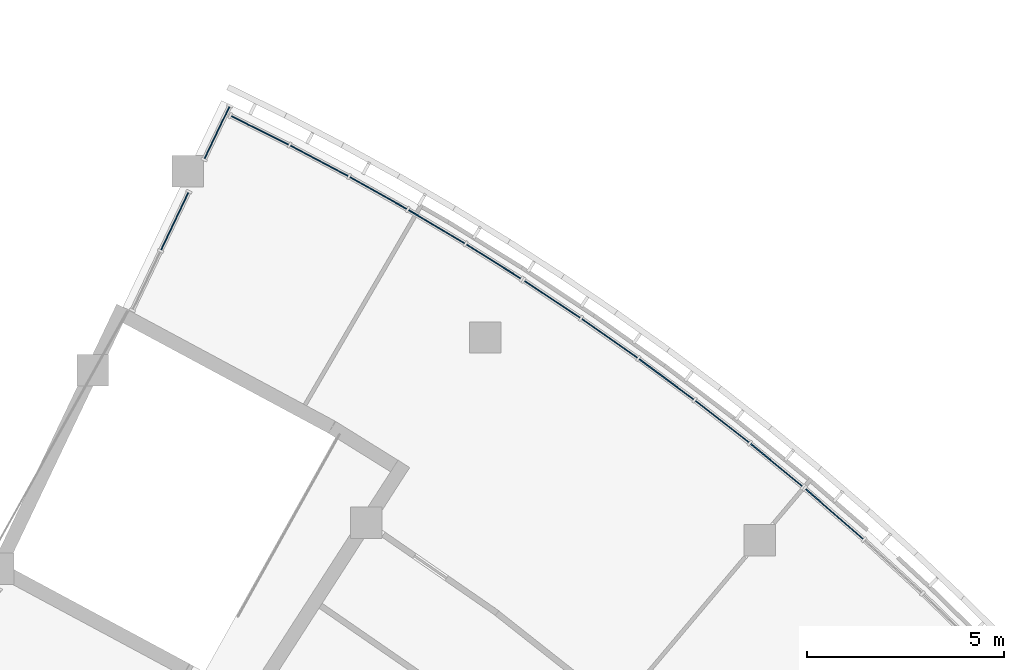
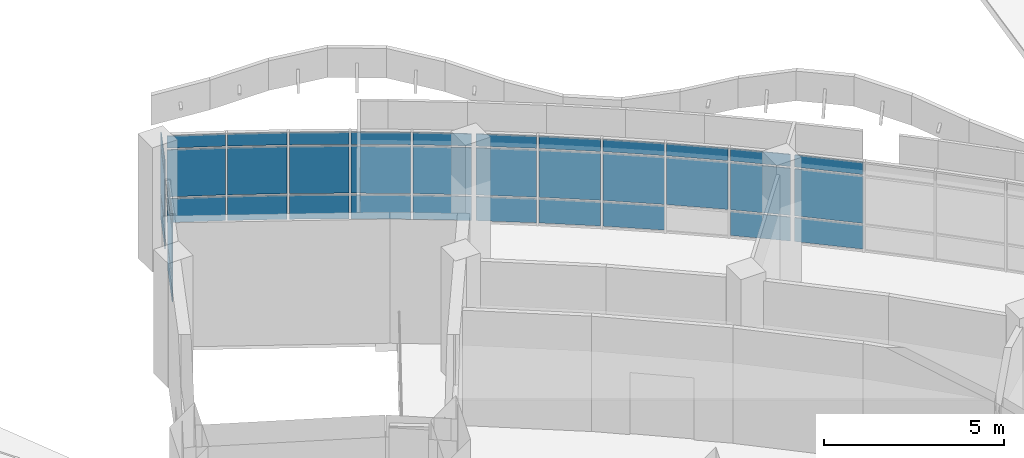
# One storey, part 52 of 137: 38 plates, 5 elements without a shape of their own.
"""IFC4 building model written with IfcOpenShell, lengths in metres."""

from ifc_helpers import new_model, si_unit, direction, frame, origin, origin_2d, place, context, subcontext, project, spatial, rectangle, extrude, material, layer, layer_set, type_object, element, aggregate, save


model = new_model("IFC4")

# Units and contexts
model_context = context("Model", 3, precision=1e-05, world=origin(), true_north=direction((0.0, 1.0)))
body_context = subcontext(model_context, "Body", "Model", "MODEL_VIEW")
ifc_project = project(units=[si_unit("LENGTHUNIT", "METRE"), si_unit("AREAUNIT", "SQUARE_METRE"), si_unit("VOLUMEUNIT", "CUBIC_METRE"), si_unit("PLANEANGLEUNIT", "RADIAN"), si_unit("MASSUNIT", "GRAM", prefix="KILO")], contexts=[model_context])

# Site, building, storey
site_placement = place(None, origin())
site = spatial("IfcSite", under=ifc_project, at=site_placement, CompositionType="ELEMENT")
building_placement = place(site_placement, origin())
building = spatial("IfcBuilding", under=site, at=building_placement, Name="Bougainvillea Quay General Hospital", CompositionType="ELEMENT")
storey_placement = place(building_placement, frame((0.0, 0.0, 16.800048828125)))
storey = spatial("IfcBuildingStorey", under=building, at=storey_placement, Name="L03", CompositionType="ELEMENT", Elevation=16.800048828125)

# Curtain wall, plates
ifc_material_1 = material(Name="Aluminium curtain wall system, powder-coated glazed", Category="aluminium")
curtain_wall_type_1 = type_object("IfcCurtainWallType", Name="Unitised curtain wall CW-2100", PredefinedType="NOTDEFINED", material=ifc_material_1)
curtain_wall_1_placement = place(storey_placement, origin())
curtain_wall_1 = element("IfcCurtainWall", 1, at=curtain_wall_1_placement, inside=storey, type_object=curtain_wall_type_1, Name="CW-E01 a10b0", PredefinedType="NOTDEFINED")
ifc_material_2 = material(Name="Insulated aluminium spandrel panel, white", Category="aluminium")
ifc_layer_1 = layer(ifc_material_2, 0.028076171875)
ifc_layer_set_1 = layer_set([ifc_layer_1], Name="Insulated aluminium spandrel panel, white")
plate_type_1 = type_object("IfcPlateType", Name="Insulated spandrel panel white 28", PredefinedType="CURTAIN_PANEL", material=ifc_layer_set_1)
plate_1_placement = place(storey_placement, frame((140.313720703125, 84.42041015625, 0.059814453125), z_axis=(0.0, 0.0, 1.0), x_axis=(0.895076033803, -0.445913549593, 0.0)))
plate_1 = element("IfcPlate", 2, at=plate_1_placement, type_object=plate_type_1, Name="CW-E01 spandrel panel 1.1", PredefinedType="CURTAIN_PANEL", context=body_context, shape_type="SweptSolid", body=[
    extrude(rectangle(XDim=1.62255859375, YDim=0.028076171875, at=origin_2d()), origin(), (0.0, 0.0, 1.0), 0.81005859375),
])
plate_2_placement = place(storey_placement, frame((140.313720703125, 84.42041015625, 2.580078125), z_axis=(0.0, 0.0, 1.0), x_axis=(0.895076033803, -0.445913549593, 0.0)))
plate_2 = element("IfcPlate", 3, at=plate_2_placement, type_object=plate_type_1, Name="CW-E01 spandrel panel 1.3", PredefinedType="CURTAIN_PANEL", context=body_context, shape_type="SweptSolid", body=[
    extrude(rectangle(XDim=1.62255859375, YDim=0.028076171875, at=origin_2d()), origin(), (0.0, 0.0, 1.0), 0.409912109375),
])
plate_3_placement = place(storey_placement, frame((141.823486328125, 83.644775390625, 0.059814453125), z_axis=(0.0, 0.0, 1.0), x_axis=(0.883859426955, -0.467752619856, 0.0)))
plate_3 = element("IfcPlate", 4, at=plate_3_placement, type_object=plate_type_1, Name="CW-E01 spandrel panel 2.1", PredefinedType="CURTAIN_PANEL", context=body_context, shape_type="SweptSolid", body=[
    extrude(rectangle(XDim=1.65234375, YDim=0.028076171875, at=origin_2d()), origin(), (0.0, 0.0, 1.0), 0.81005859375),
])
plate_4_placement = place(storey_placement, frame((141.823486328125, 83.644775390625, 2.580078125), z_axis=(0.0, 0.0, 1.0), x_axis=(0.883859426955, -0.467752619856, 0.0)))
plate_4 = element("IfcPlate", 5, at=plate_4_placement, type_object=plate_type_1, Name="CW-E01 spandrel panel 2.3", PredefinedType="CURTAIN_PANEL", context=body_context, shape_type="SweptSolid", body=[
    extrude(rectangle(XDim=1.65234375, YDim=0.028076171875, at=origin_2d()), origin(), (0.0, 0.0, 1.0), 0.409912109375),
])
plate_5_placement = place(storey_placement, frame((143.326904296875, 82.825439453125, 0.059814453125), z_axis=(0.0, 0.0, 1.0), x_axis=(0.87211006743, -0.489309748816, 0.0)))
plate_5 = element("IfcPlate", 6, at=plate_5_placement, type_object=plate_type_1, Name="CW-E01 spandrel panel 3.1", PredefinedType="CURTAIN_PANEL", context=body_context, shape_type="SweptSolid", body=[
    extrude(rectangle(XDim=1.65234375, YDim=0.028076171875, at=origin_2d()), origin(), (0.0, 0.0, 1.0), 0.81005859375),
])
plate_6_placement = place(storey_placement, frame((143.326904296875, 82.825439453125, 2.580078125), z_axis=(0.0, 0.0, 1.0), x_axis=(0.87211006743, -0.489309748816, 0.0)))
plate_6 = element("IfcPlate", 7, at=plate_6_placement, type_object=plate_type_1, Name="CW-E01 spandrel panel 3.3", PredefinedType="CURTAIN_PANEL", context=body_context, shape_type="SweptSolid", body=[
    extrude(rectangle(XDim=1.65234375, YDim=0.028076171875, at=origin_2d()), origin(), (0.0, 0.0, 1.0), 0.409912109375),
])
plate_7_placement = place(storey_placement, frame((144.809814453125, 81.96923828125, 0.059814453125), z_axis=(0.0, 0.0, 1.0), x_axis=(0.859835037223, -0.510571942789, 0.0)))
plate_7 = element("IfcPlate", 8, at=plate_7_placement, type_object=plate_type_1, Name="CW-E01 spandrel panel 4.1", PredefinedType="CURTAIN_PANEL", context=body_context, shape_type="SweptSolid", body=[
    extrude(rectangle(XDim=1.65234375, YDim=0.028076171875, at=origin_2d()), origin(), (0.0, 0.0, 1.0), 0.81005859375),
])
plate_8_placement = place(storey_placement, frame((144.809814453125, 81.96923828125, 2.580078125), z_axis=(0.0, 0.0, 1.0), x_axis=(0.859835037223, -0.510571942789, 0.0)))
plate_8 = element("IfcPlate", 9, at=plate_8_placement, type_object=plate_type_1, Name="CW-E01 spandrel panel 4.3", PredefinedType="CURTAIN_PANEL", context=body_context, shape_type="SweptSolid", body=[
    extrude(rectangle(XDim=1.65234375, YDim=0.028076171875, at=origin_2d()), origin(), (0.0, 0.0, 1.0), 0.409912109375),
])
plate_9_placement = place(storey_placement, frame((146.258544921875, 81.0849609375, 0.059814453125), z_axis=(0.0, 0.0, 1.0), x_axis=(0.847041735206, -0.531526385817, 0.0)))
plate_9 = element("IfcPlate", 10, at=plate_9_placement, type_object=plate_type_1, Name="CW-E01 spandrel panel 5.1", PredefinedType="CURTAIN_PANEL", context=body_context, shape_type="SweptSolid", body=[
    extrude(rectangle(XDim=1.62255859375, YDim=0.028076171875, at=origin_2d()), origin(), (0.0, 0.0, 1.0), 0.81005859375),
])
plate_10_placement = place(storey_placement, frame((146.258544921875, 81.0849609375, 2.580078125), z_axis=(0.0, 0.0, 1.0), x_axis=(0.847041735206, -0.531526385817, 0.0)))
plate_10 = element("IfcPlate", 11, at=plate_10_placement, type_object=plate_type_1, Name="CW-E01 spandrel panel 5.3", PredefinedType="CURTAIN_PANEL", context=body_context, shape_type="SweptSolid", body=[
    extrude(rectangle(XDim=1.62255859375, YDim=0.028076171875, at=origin_2d()), origin(), (0.0, 0.0, 1.0), 0.409912109375),
])

curtain_wall_2_placement = place(storey_placement, origin())
curtain_wall_2 = element("IfcCurtainWall", 12, at=curtain_wall_2_placement, inside=storey, type_object=curtain_wall_type_1, Name="CW-E02 a10b1", PredefinedType="NOTDEFINED")
plate_11_placement = place(storey_placement, frame((147.7509765625, 80.121826171875, 0.059814453125), z_axis=(0.0, 0.0, 1.0), x_axis=(0.833469434396, -0.552565563465, 0.0)))
plate_11 = element("IfcPlate", 13, at=plate_11_placement, type_object=plate_type_1, Name="CW-E02 spandrel panel 1.1", PredefinedType="CURTAIN_PANEL", context=body_context, shape_type="SweptSolid", body=[
    extrude(rectangle(XDim=1.690185546875, YDim=0.028076171875, at=origin_2d()), origin(), (0.0, 0.0, 1.0), 0.81005859375),
])
plate_12_placement = place(storey_placement, frame((147.7509765625, 80.121826171875, 2.580078125), z_axis=(0.0, 0.0, 1.0), x_axis=(0.833469434396, -0.552565563465, 0.0)))
plate_12 = element("IfcPlate", 14, at=plate_12_placement, type_object=plate_type_1, Name="CW-E02 spandrel panel 1.3", PredefinedType="CURTAIN_PANEL", context=body_context, shape_type="SweptSolid", body=[
    extrude(rectangle(XDim=1.690185546875, YDim=0.028076171875, at=origin_2d()), origin(), (0.0, 0.0, 1.0), 0.409912109375),
])
plate_13_placement = place(storey_placement, frame((149.20947265625, 79.12744140625, 0.059814453125), z_axis=(0.0, 0.0, 1.0), x_axis=(0.819095979911, -0.573656496253, 0.0)))
plate_13 = element("IfcPlate", 15, at=plate_13_placement, type_object=plate_type_1, Name="CW-E02 spandrel panel 2.1", PredefinedType="CURTAIN_PANEL", context=body_context, shape_type="SweptSolid", body=[
    extrude(rectangle(XDim=1.72021484375, YDim=0.028076171875, at=origin_2d()), origin(), (0.0, 0.0, 1.0), 0.81005859375),
])
plate_14_placement = place(storey_placement, frame((149.20947265625, 79.12744140625, 2.580078125), z_axis=(0.0, 0.0, 1.0), x_axis=(0.819095979911, -0.573656496253, 0.0)))
plate_14 = element("IfcPlate", 16, at=plate_14_placement, type_object=plate_type_1, Name="CW-E02 spandrel panel 2.3", PredefinedType="CURTAIN_PANEL", context=body_context, shape_type="SweptSolid", body=[
    extrude(rectangle(XDim=1.72021484375, YDim=0.028076171875, at=origin_2d()), origin(), (0.0, 0.0, 1.0), 0.409912109375),
])
plate_15_placement = place(storey_placement, frame((150.654296875, 78.087890625, 0.059814453125), z_axis=(0.0, 0.0, 1.0), x_axis=(0.804188946942, -0.594373735638, 0.0)))
plate_15 = element("IfcPlate", 17, at=plate_15_placement, type_object=plate_type_1, Name="CW-E02 spandrel panel 3.1", PredefinedType="CURTAIN_PANEL", context=body_context, shape_type="SweptSolid", body=[
    extrude(rectangle(XDim=1.72021484375, YDim=0.028076171875, at=origin_2d()), origin(), (0.0, 0.0, 1.0), 0.81005859375),
])
plate_16_placement = place(storey_placement, frame((150.654296875, 78.087890625, 2.580078125), z_axis=(0.0, 0.0, 1.0), x_axis=(0.804188946942, -0.594373735638, 0.0)))
plate_16 = element("IfcPlate", 18, at=plate_16_placement, type_object=plate_type_1, Name="CW-E02 spandrel panel 3.3", PredefinedType="CURTAIN_PANEL", context=body_context, shape_type="SweptSolid", body=[
    extrude(rectangle(XDim=1.72021484375, YDim=0.028076171875, at=origin_2d()), origin(), (0.0, 0.0, 1.0), 0.409912109375),
])
plate_17_placement = place(storey_placement, frame((152.072265625, 77.01171875, 2.580078125), z_axis=(0.0, 0.0, 1.0), x_axis=(0.788758046282, -0.614703785921, 0.0)))
plate_17 = element("IfcPlate", 19, at=plate_17_placement, type_object=plate_type_1, Name="CW-E02 spandrel panel 4.3", PredefinedType="CURTAIN_PANEL", context=body_context, shape_type="SweptSolid", body=[
    extrude(rectangle(XDim=1.72021484375, YDim=0.028076171875, at=origin_2d()), origin(), (0.0, 0.0, 1.0), 0.409912109375),
])
plate_18_placement = place(storey_placement, frame((153.45068359375, 75.9091796875, 0.059814453125), z_axis=(0.0, 0.0, 1.0), x_axis=(0.772813329985, -0.634633403626, 0.0)))
plate_18 = element("IfcPlate", 20, at=plate_18_placement, type_object=plate_type_1, Name="CW-E02 spandrel panel 5.1", PredefinedType="CURTAIN_PANEL", context=body_context, shape_type="SweptSolid", body=[
    extrude(rectangle(XDim=1.690185546875, YDim=0.028076171875, at=origin_2d()), origin(), (0.0, 0.0, 1.0), 0.81005859375),
])
plate_19_placement = place(storey_placement, frame((153.45068359375, 75.9091796875, 2.580078125), z_axis=(0.0, 0.0, 1.0), x_axis=(0.772813329985, -0.634633403626, 0.0)))
plate_19 = element("IfcPlate", 21, at=plate_19_placement, type_object=plate_type_1, Name="CW-E02 spandrel panel 5.3", PredefinedType="CURTAIN_PANEL", context=body_context, shape_type="SweptSolid", body=[
    extrude(rectangle(XDim=1.690185546875, YDim=0.028076171875, at=origin_2d()), origin(), (0.0, 0.0, 1.0), 0.409912109375),
])

curtain_wall_3_placement = place(storey_placement, origin())
curtain_wall_3 = element("IfcCurtainWall", 22, at=curtain_wall_3_placement, inside=storey, type_object=curtain_wall_type_1, Name="CW-E03 a10b2", PredefinedType="NOTDEFINED")
plate_20_placement = place(storey_placement, frame((154.925537109375, 74.66162109375, 0.059814453125), z_axis=(0.0, 0.0, 1.0), x_axis=(0.755223923404, -0.655466875989, 0.0)))
plate_20 = element("IfcPlate", 23, at=plate_20_placement, type_object=plate_type_1, Name="CW-E03 spandrel panel 1.1", PredefinedType="CURTAIN_PANEL", context=body_context, shape_type="SweptSolid", body=[
    extrude(rectangle(XDim=1.933349609375, YDim=0.028076171875, at=origin_2d()), origin(), (0.0, 0.0, 1.0), 0.81005859375),
])
plate_21_placement = place(storey_placement, frame((154.925537109375, 74.66162109375, 2.580078125), z_axis=(0.0, 0.0, 1.0), x_axis=(0.755223923404, -0.655466875989, 0.0)))
plate_21 = element("IfcPlate", 24, at=plate_21_placement, type_object=plate_type_1, Name="CW-E03 spandrel panel 1.3", PredefinedType="CURTAIN_PANEL", context=body_context, shape_type="SweptSolid", body=[
    extrude(rectangle(XDim=1.933349609375, YDim=0.028076171875, at=origin_2d()), origin(), (0.0, 0.0, 1.0), 0.409912109375),
])

curtain_wall_type_2 = type_object("IfcCurtainWallType", Name="Unitised curtain wall CW-1580", PredefinedType="NOTDEFINED", material=ifc_material_1)
curtain_wall_4_placement = place(storey_placement, origin())
curtain_wall_4 = element("IfcCurtainWall", 25, at=curtain_wall_4_placement, inside=storey, type_object=curtain_wall_type_2, Name="CW-AE 00", PredefinedType="NOTDEFINED")
plate_22_placement = place(storey_placement, frame((139.2216796875, 84.3603515625, 0.059814453125), z_axis=(0.0, 0.0, 1.0), x_axis=(-0.430525444112, -0.902578440897, 0.0)))
plate_22 = element("IfcPlate", 26, at=plate_22_placement, type_object=plate_type_1, Name="CW-AE spandrel panel 1.1", PredefinedType="CURTAIN_PANEL", context=body_context, shape_type="SweptSolid", body=[
    extrude(rectangle(XDim=1.459716796875, YDim=0.028076171875, at=origin_2d()), origin(), (0.0, 0.0, 1.0), 0.81005859375),
])
plate_23_placement = place(storey_placement, frame((139.2216796875, 84.3603515625, 2.580078125), z_axis=(0.0, 0.0, 1.0), x_axis=(-0.430525444112, -0.902578440897, 0.0)))
plate_23 = element("IfcPlate", 27, at=plate_23_placement, type_object=plate_type_1, Name="CW-AE spandrel panel 1.3", PredefinedType="CURTAIN_PANEL", context=body_context, shape_type="SweptSolid", body=[
    extrude(rectangle(XDim=1.459716796875, YDim=0.028076171875, at=origin_2d()), origin(), (0.0, 0.0, 1.0), 0.409912109375),
])

curtain_wall_type_3 = type_object("IfcCurtainWallType", Name="Unitised curtain wall CW-1703", PredefinedType="NOTDEFINED", material=ifc_material_1)
curtain_wall_5_placement = place(storey_placement, origin())
curtain_wall_5 = element("IfcCurtainWall", 28, at=curtain_wall_5_placement, inside=storey, type_object=curtain_wall_type_3, Name="CW-AE 01", PredefinedType="NOTDEFINED")
plate_24_placement = place(storey_placement, frame((138.146728515625, 82.107177734375, 0.059814453125), z_axis=(0.0, 0.0, 1.0), x_axis=(-0.430525444112, -0.902578440897, 0.0)))
plate_24 = element("IfcPlate", 29, at=plate_24_placement, type_object=plate_type_1, Name="CW-AE spandrel panel 1.1", PredefinedType="CURTAIN_PANEL", context=body_context, shape_type="SweptSolid", body=[
    extrude(rectangle(XDim=1.61279296875, YDim=0.028076171875, at=origin_2d()), origin(), (0.0, 0.0, 1.0), 0.81005859375),
])
plate_25_placement = place(storey_placement, frame((138.146728515625, 82.107177734375, 2.580078125), z_axis=(0.0, 0.0, 1.0), x_axis=(-0.430525444112, -0.902578440897, 0.0)))
plate_25 = element("IfcPlate", 30, at=plate_25_placement, type_object=plate_type_1, Name="CW-AE spandrel panel 1.3", PredefinedType="CURTAIN_PANEL", context=body_context, shape_type="SweptSolid", body=[
    extrude(rectangle(XDim=1.61279296875, YDim=0.028076171875, at=origin_2d()), origin(), (0.0, 0.0, 1.0), 0.409912109375),
])

# Plate
ifc_material_3 = material(Name="Low-e laminated glass, solar control", Category="glass")
ifc_layer_2 = layer(ifc_material_3, 0.028076171875)
ifc_layer_set_2 = layer_set([ifc_layer_2], Name="Low-e laminated glass, solar control")
plate_type_2 = type_object("IfcPlateType", Name="Low-e laminated vision glass 28", PredefinedType="CURTAIN_PANEL", material=ifc_layer_set_2)
plate_26_placement = place(storey_placement, frame((140.313720703125, 84.42041015625, 0.9296875), z_axis=(0.0, 0.0, 1.0), x_axis=(0.895076033803, -0.445913549593, 0.0)))
plate_26 = element("IfcPlate", 31, at=plate_26_placement, type_object=plate_type_2, Name="CW-E01 vision glass panel 1.2", PredefinedType="CURTAIN_PANEL", context=body_context, shape_type="SweptSolid", body=[
    extrude(rectangle(XDim=1.62255859375, YDim=0.028076171875, at=origin_2d()), origin(), (0.0, 0.0, 1.0), 1.590087890625),
])

plate_27_placement = place(storey_placement, frame((141.823486328125, 83.644775390625, 0.9296875), z_axis=(0.0, 0.0, 1.0), x_axis=(0.883859426955, -0.467752619856, 0.0)))
plate_27 = element("IfcPlate", 32, at=plate_27_placement, type_object=plate_type_2, Name="CW-E01 vision glass panel 2.2", PredefinedType="CURTAIN_PANEL", context=body_context, shape_type="SweptSolid", body=[
    extrude(rectangle(XDim=1.65234375, YDim=0.028076171875, at=origin_2d()), origin(), (0.0, 0.0, 1.0), 1.590087890625),
])

plate_28_placement = place(storey_placement, frame((143.326904296875, 82.825439453125, 0.9296875), z_axis=(0.0, 0.0, 1.0), x_axis=(0.87211006743, -0.489309748816, 0.0)))
plate_28 = element("IfcPlate", 33, at=plate_28_placement, type_object=plate_type_2, Name="CW-E01 vision glass panel 3.2", PredefinedType="CURTAIN_PANEL", context=body_context, shape_type="SweptSolid", body=[
    extrude(rectangle(XDim=1.65234375, YDim=0.028076171875, at=origin_2d()), origin(), (0.0, 0.0, 1.0), 1.590087890625),
])

plate_29_placement = place(storey_placement, frame((144.809814453125, 81.96923828125, 0.9296875), z_axis=(0.0, 0.0, 1.0), x_axis=(0.859835037223, -0.510571942789, 0.0)))
plate_29 = element("IfcPlate", 34, at=plate_29_placement, type_object=plate_type_2, Name="CW-E01 vision glass panel 4.2", PredefinedType="CURTAIN_PANEL", context=body_context, shape_type="SweptSolid", body=[
    extrude(rectangle(XDim=1.65234375, YDim=0.028076171875, at=origin_2d()), origin(), (0.0, 0.0, 1.0), 1.590087890625),
])

plate_30_placement = place(storey_placement, frame((146.258544921875, 81.0849609375, 0.9296875), z_axis=(0.0, 0.0, 1.0), x_axis=(0.847041735206, -0.531526385817, 0.0)))
plate_30 = element("IfcPlate", 35, at=plate_30_placement, type_object=plate_type_2, Name="CW-E01 vision glass panel 5.2", PredefinedType="CURTAIN_PANEL", context=body_context, shape_type="SweptSolid", body=[
    extrude(rectangle(XDim=1.62255859375, YDim=0.028076171875, at=origin_2d()), origin(), (0.0, 0.0, 1.0), 1.590087890625),
])

aggregate(curtain_wall_1, [plate_1, plate_26, plate_2, plate_3, plate_27, plate_4, plate_5, plate_28, plate_6, plate_7, plate_29, plate_8, plate_9, plate_30, plate_10])

plate_31_placement = place(storey_placement, frame((147.7509765625, 80.121826171875, 0.9296875), z_axis=(0.0, 0.0, 1.0), x_axis=(0.833469434396, -0.552565563465, 0.0)))
plate_31 = element("IfcPlate", 36, at=plate_31_placement, type_object=plate_type_2, Name="CW-E02 vision glass panel 1.2", PredefinedType="CURTAIN_PANEL", context=body_context, shape_type="SweptSolid", body=[
    extrude(rectangle(XDim=1.690185546875, YDim=0.028076171875, at=origin_2d()), origin(), (0.0, 0.0, 1.0), 1.590087890625),
])

plate_32_placement = place(storey_placement, frame((149.20947265625, 79.12744140625, 0.9296875), z_axis=(0.0, 0.0, 1.0), x_axis=(0.819095979911, -0.573656496253, 0.0)))
plate_32 = element("IfcPlate", 37, at=plate_32_placement, type_object=plate_type_2, Name="CW-E02 vision glass panel 2.2", PredefinedType="CURTAIN_PANEL", context=body_context, shape_type="SweptSolid", body=[
    extrude(rectangle(XDim=1.72021484375, YDim=0.028076171875, at=origin_2d()), origin(), (0.0, 0.0, 1.0), 1.590087890625),
])

plate_33_placement = place(storey_placement, frame((150.654296875, 78.087890625, 0.9296875), z_axis=(0.0, 0.0, 1.0), x_axis=(0.804188946942, -0.594373735638, 0.0)))
plate_33 = element("IfcPlate", 38, at=plate_33_placement, type_object=plate_type_2, Name="CW-E02 vision glass panel 3.2", PredefinedType="CURTAIN_PANEL", context=body_context, shape_type="SweptSolid", body=[
    extrude(rectangle(XDim=1.72021484375, YDim=0.028076171875, at=origin_2d()), origin(), (0.0, 0.0, 1.0), 1.590087890625),
])

plate_34_placement = place(storey_placement, frame((152.072265625, 77.01171875, 0.9296875), z_axis=(0.0, 0.0, 1.0), x_axis=(0.788758046282, -0.614703785921, 0.0)))
plate_34 = element("IfcPlate", 39, at=plate_34_placement, type_object=plate_type_2, Name="CW-E02 vision glass panel 4.2", PredefinedType="CURTAIN_PANEL", context=body_context, shape_type="SweptSolid", body=[
    extrude(rectangle(XDim=1.72021484375, YDim=0.028076171875, at=origin_2d()), origin(), (0.0, 0.0, 1.0), 1.590087890625),
])

plate_35_placement = place(storey_placement, frame((153.45068359375, 75.9091796875, 0.9296875), z_axis=(0.0, 0.0, 1.0), x_axis=(0.772813329985, -0.634633403626, 0.0)))
plate_35 = element("IfcPlate", 40, at=plate_35_placement, type_object=plate_type_2, Name="CW-E02 vision glass panel 5.2", PredefinedType="CURTAIN_PANEL", context=body_context, shape_type="SweptSolid", body=[
    extrude(rectangle(XDim=1.690185546875, YDim=0.028076171875, at=origin_2d()), origin(), (0.0, 0.0, 1.0), 1.590087890625),
])

aggregate(curtain_wall_2, [plate_11, plate_31, plate_12, plate_13, plate_32, plate_14, plate_15, plate_33, plate_16, plate_34, plate_17, plate_18, plate_35, plate_19])

plate_36_placement = place(storey_placement, frame((154.925537109375, 74.66162109375, 0.9296875), z_axis=(0.0, 0.0, 1.0), x_axis=(0.755223923404, -0.655466875989, 0.0)))
plate_36 = element("IfcPlate", 41, at=plate_36_placement, type_object=plate_type_2, Name="CW-E03 vision glass panel 1.2", PredefinedType="CURTAIN_PANEL", context=body_context, shape_type="SweptSolid", body=[
    extrude(rectangle(XDim=1.933349609375, YDim=0.028076171875, at=origin_2d()), origin(), (0.0, 0.0, 1.0), 1.590087890625),
])

aggregate(curtain_wall_3, [plate_20, plate_36, plate_21])

plate_37_placement = place(storey_placement, frame((139.2216796875, 84.3603515625, 0.9296875), z_axis=(0.0, 0.0, 1.0), x_axis=(-0.430525444112, -0.902578440897, 0.0)))
plate_37 = element("IfcPlate", 42, at=plate_37_placement, type_object=plate_type_2, Name="CW-AE vision glass panel 1.2", PredefinedType="CURTAIN_PANEL", context=body_context, shape_type="SweptSolid", body=[
    extrude(rectangle(XDim=1.459716796875, YDim=0.028076171875, at=origin_2d()), origin(), (0.0, 0.0, 1.0), 1.590087890625),
])

aggregate(curtain_wall_4, [plate_22, plate_37, plate_23])

plate_38_placement = place(storey_placement, frame((138.146728515625, 82.107177734375, 0.9296875), z_axis=(0.0, 0.0, 1.0), x_axis=(-0.430525444112, -0.902578440897, 0.0)))
plate_38 = element("IfcPlate", 43, at=plate_38_placement, type_object=plate_type_2, Name="CW-AE vision glass panel 1.2", PredefinedType="CURTAIN_PANEL", context=body_context, shape_type="SweptSolid", body=[
    extrude(rectangle(XDim=1.61279296875, YDim=0.028076171875, at=origin_2d()), origin(), (0.0, 0.0, 1.0), 1.590087890625),
])

aggregate(curtain_wall_5, [plate_24, plate_38, plate_25])

save(model, "model.ifc")
